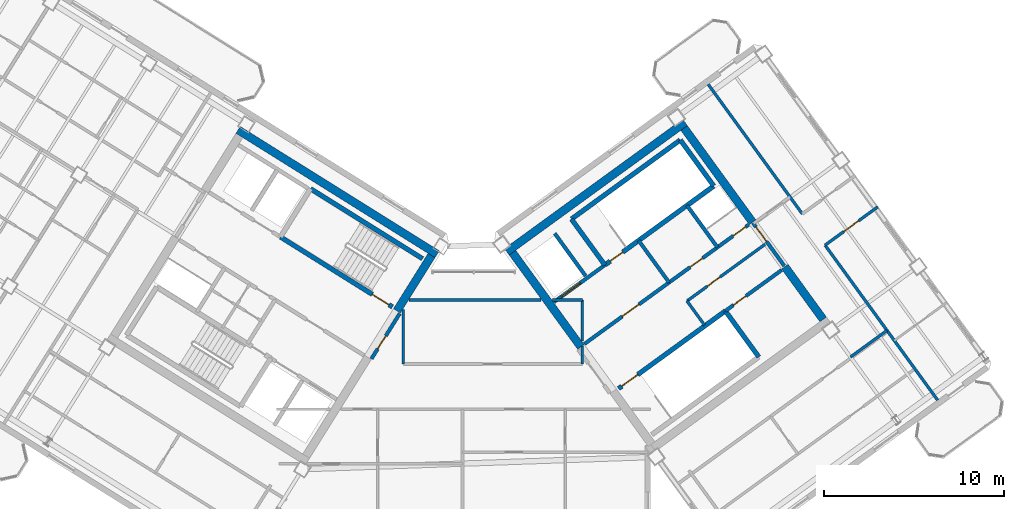
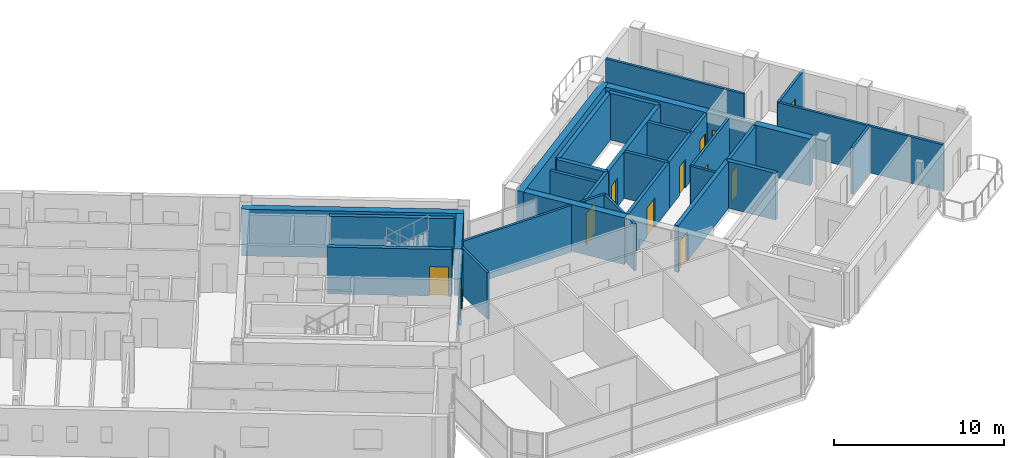
# One storey, part 20 of 25: 34 walls, 12 doors, 12 openings.
"""IFC4 building model written with IfcOpenShell, lengths in metres."""

from ifc_helpers import new_model, si_unit, direction, frame, frame_2d, origin, place, context, subcontext, project, spatial, rectangle, extrude, source, transform, mapped, material, layer, layer_set, type_object, element, fill, save


model = new_model("IFC4")

# Units and contexts
model_context = context("Model", 3, precision=1e-05, world=origin(), true_north=direction((0.0, 1.0)))
body_context = subcontext(model_context, "Body", "Model", "MODEL_VIEW")
ifc_project = project(units=[si_unit("LENGTHUNIT", "METRE"), si_unit("AREAUNIT", "SQUARE_METRE"), si_unit("VOLUMEUNIT", "CUBIC_METRE"), si_unit("PLANEANGLEUNIT", "RADIAN"), si_unit("MASSUNIT", "GRAM", prefix="KILO")], contexts=[model_context])

# Site, building, storey
site_placement = place(None, origin())
site = spatial("IfcSite", under=ifc_project, at=site_placement, CompositionType="ELEMENT")
building_placement = place(site_placement, origin())
building = spatial("IfcBuilding", under=site, at=building_placement, Name="Tlacorven Tower", CompositionType="ELEMENT")
storey_placement = place(building_placement, frame((0.0, 0.0, 259.199951171875)))
storey = spatial("IfcBuildingStorey", under=building, at=storey_placement, Name="L65", CompositionType="ELEMENT", Elevation=259.199951171875)

# Walls
ifc_material_1 = material(Name="Concrete C50/60", Category="concrete")
ifc_layer_1 = layer(ifc_material_1, 0.449951171875)
ifc_layer_set_1 = layer_set([ifc_layer_1], Name="Concrete C50/60")
wall_type_1 = type_object("IfcWallType", Name="WL-COR-450", PredefinedType="SHEAR", material=ifc_layer_set_1)
wall_1_placement = place(storey_placement, frame((40.53076171875, 24.036376953125, 0.0), z_axis=(0.0, 0.0, 1.0), x_axis=(-0.848048787466, 0.529918157905, 0.0)))
element("IfcWall", 1, at=wall_1_placement, inside=storey, type_object=wall_type_1, Name="L65 W core shear wall S1", PredefinedType="SHEAR", context=body_context, shape_type="SweptSolid", body=[
    extrude(rectangle(XDim=13.0400390625, YDim=0.449951171875, at=frame_2d((6.52001953125, 0.0))), origin(), (0.0, 0.0, 1.0), 3.35009765625),
])
wall_2_placement = place(storey_placement, frame((40.220703125, 23.96484375, 0.0), z_axis=(0.0, 0.0, 1.0), x_axis=(-0.529902075036, -0.848058836916, 0.0)))
element("IfcWall", 2, at=wall_2_placement, inside=storey, type_object=wall_type_1, Name="L65 W core end wall E1.1", PredefinedType="SHEAR", context=body_context, shape_type="SweptSolid", body=[
    extrude(rectangle(XDim=3.625, YDim=0.449951171875, at=frame_2d((1.8125, 0.0))), origin(), (0.0, 0.0, 1.0), 3.35009765625),
])
wall_3_placement = place(storey_placement, frame((44.405517578125, 24.171630859375, 0.0), z_axis=(0.0, 0.0, 1.0), x_axis=(0.809012867805, 0.587790931986, 0.0)))
element("IfcWall", 3, at=wall_3_placement, inside=storey, type_object=wall_type_1, Name="L65 E core shear wall S2", PredefinedType="SHEAR", context=body_context, shape_type="SweptSolid", body=[
    extrude(rectangle(XDim=12.239990234375, YDim=0.449951171875, at=frame_2d((6.1201171875, 0.0))), origin(), (0.0, 0.0, 1.0), 3.35009765625),
])
wall_4_placement = place(storey_placement, frame((48.525634765625, 18.883544921875, 0.0), z_axis=(0.0, 0.0, 1.0), x_axis=(-0.587774812919, 0.809024578921, 0.0)))
element("IfcWall", 4, at=wall_4_placement, inside=storey, type_object=wall_type_1, Name="L65 E core end wall E1.2", PredefinedType="SHEAR", context=body_context, shape_type="SweptSolid", body=[
    extrude(rectangle(XDim=6.47509765625, YDim=0.449951171875, at=frame_2d((3.237548828125, 0.0))), origin(), (0.0, 0.0, 1.0), 3.35009765625),
])
wall_5_placement = place(storey_placement, frame((61.987548828125, 20.413330078125, 0.0), z_axis=(0.0, 0.0, 1.0), x_axis=(-0.587819244441, 0.808992296542, 0.0)))
element("IfcWall", 5, at=wall_5_placement, inside=storey, type_object=wall_type_1, Name="L65 E core end wall E2.1", PredefinedType="SHEAR", context=body_context, shape_type="SweptSolid", body=[
    extrude(rectangle(XDim=3.625, YDim=0.449951171875, at=frame_2d((1.8125, 0.0))), origin(), (0.0, 0.0, 1.0), 3.35009765625),
])
wall_6_placement = place(storey_placement, frame((58.06396484375, 25.8134765625, 0.0), z_axis=(0.0, 0.0, 1.0), x_axis=(-0.587774812919, 0.809024578921, 0.0)))
element("IfcWall", 6, at=wall_6_placement, inside=storey, type_object=wall_type_1, Name="L65 E core end wall E2.2", PredefinedType="SHEAR", context=body_context, shape_type="SweptSolid", body=[
    extrude(rectangle(XDim=6.47509765625, YDim=0.449951171875, at=frame_2d((3.237548828125, 0.0))), origin(), (0.0, 0.0, 1.0), 3.35009765625),
])

# Wall, opening, door
ifc_material_2 = material(Name="Gypsum plasterboard acoustic partition", Category="gypsum")
ifc_layer_2 = layer(ifc_material_2, 0.159912109375)
ifc_layer_set_2 = layer_set([ifc_layer_2], Name="Gypsum plasterboard acoustic partition")
wall_type_2 = type_object("IfcWallType", Name="WL-DEM-160", PredefinedType="PARTITIONING", material=ifc_layer_set_2)
wall_7_placement = place(storey_placement, frame((54.421142578125, 21.436279296875, 0.0), z_axis=(0.0, 0.0, 1.0), x_axis=(0.809013710463, 0.587789772183, 0.0)))
wall_7 = element("IfcWall", 7, at=wall_7_placement, inside=storey, type_object=wall_type_2, Name="L65 partition 31", PredefinedType="PARTITIONING", context=body_context, shape_type="SweptSolid", body=[
    extrude(rectangle(XDim=5.360107421875, YDim=0.159912109375, at=frame_2d((2.68017578125, 0.0))), origin(), (0.0, 0.0, 1.0), 3.340087890625),
])
opening_1_placement = place(wall_7_placement, frame((1.39990234375, 0.0, 0.0)))
opening_1 = element("IfcOpeningElement", 8, at=opening_1_placement, cuts=wall_7, Name="Opening D19", PredefinedType="OPENING", context=body_context, shape_type="SweptSolid", body=[
    extrude(rectangle(XDim=0.860107421875, YDim=2.050048828125, at=frame_2d((0.43017578125, 1.02490234375))), frame((0.0, 0.08984375, 0.0), z_axis=(0.0, -1.0, 0.0), x_axis=(1.0, 0.0, 0.0)), (0.0, 0.0, 1.0), 0.179931640625),
])
ifc_material_3 = material(Name="Fire-rated steel door assembly", Category="steel")
door_type_1 = type_object("IfcDoorType", Name="DR-RSR-FD60-0860", OperationType="NOTDEFINED", PredefinedType="DOOR", material=ifc_material_3)
shared_shape_1 = source(origin(), body_context, "Body", "SweptSolid", [
    extrude(rectangle(XDim=0.860107421875, YDim=2.050048828125, at=frame_2d((0.43017578125, 1.02490234375))), frame((0.0, 0.02490234375, 0.0), z_axis=(0.0, -1.0, 0.0), x_axis=(1.0, 0.0, 0.0)), (0.0, 0.0, 1.0), 0.050048828125),
])
door_1_placement = place(opening_1_placement, origin())
door_1 = element("IfcDoor", 9, at=door_1_placement, inside=storey, type_object=door_type_1, Name="L65 Freed Core Store Door", OperationType="SINGLE_SWING_RIGHT", OverallHeight=2.050048828125, OverallWidth=0.860107421875, PredefinedType="DOOR", context=body_context, shape_type="MappedRepresentation", body=[
    mapped(shared_shape_1, transform((0.0, 0.0, 0.0), scale=1.0)),
])
fill(opening_1, door_1)

# Walls
wall_8_placement = place(storey_placement, frame((55.390869140625, 20.1015625, 0.0), z_axis=(0.0, 0.0, 1.0), x_axis=(-0.58778447739, 0.809017557374, 0.0)))
element("IfcWall", 10, at=wall_8_placement, inside=storey, type_object=wall_type_2, Name="L65 partition 32", PredefinedType="PARTITIONING", context=body_context, shape_type="SweptSolid", body=[
    extrude(rectangle(XDim=1.64990234375, YDim=0.159912109375, at=frame_2d((0.824951171875, 0.0))), origin(), (0.0, 0.0, 1.0), 3.340087890625),
])
wall_9_placement = place(storey_placement, frame((38.64990234375, 17.929931640625, 0.0), z_axis=(0.0, 0.0, 1.0), x_axis=(0.0, 1.0, 0.0)))
element("IfcWall", 11, at=wall_9_placement, inside=storey, type_object=wall_type_2, Name="L65 partition 71", PredefinedType="PARTITIONING", context=body_context, shape_type="SweptSolid", body=[
    extrude(rectangle(XDim=3.045654296875, YDim=0.159912109375, at=frame_2d((1.52294921875, 0.0))), origin(), (0.0, 0.0, 1.0), 3.340087890625),
])
wall_10_placement = place(storey_placement, frame((48.60009765625, 17.929931640625, 0.0), z_axis=(0.0, 0.0, 1.0), x_axis=(0.0, 1.0, 0.0)))
element("IfcWall", 12, at=wall_10_placement, inside=storey, type_object=wall_type_2, Name="L65 partition 72", PredefinedType="PARTITIONING", context=body_context, shape_type="SweptSolid", body=[
    extrude(rectangle(XDim=0.99267578125, YDim=0.159912109375, at=frame_2d((0.496337890625, 0.0))), origin(), (0.0, 0.0, 1.0), 3.340087890625),
])
wall_11_placement = place(storey_placement, frame((48.60009765625, 19.2099609375, 0.0), z_axis=(0.0, 0.0, 1.0), x_axis=(0.0, 1.0, 0.0)))
element("IfcWall", 13, at=wall_11_placement, inside=storey, type_object=wall_type_2, Name="L65 partition 72", PredefinedType="PARTITIONING", context=body_context, shape_type="SweptSolid", body=[
    extrude(rectangle(XDim=2.2900390625, YDim=0.159912109375, at=frame_2d((1.14501953125, 0.0))), origin(), (0.0, 0.0, 1.0), 3.340087890625),
])
wall_12_placement = place(storey_placement, frame((38.9775390625, 21.5, 0.0), z_axis=(0.0, 0.0, 1.0), x_axis=(1.0, 0.0, 0.0)))
element("IfcWall", 14, at=wall_12_placement, inside=storey, type_object=wall_type_2, Name="L65 partition 73", PredefinedType="PARTITIONING", context=body_context, shape_type="SweptSolid", body=[
    extrude(rectangle(XDim=7.335693359375, YDim=0.159912109375, at=frame_2d((3.66796875, 0.0))), origin(), (0.0, 0.0, 1.0), 3.340087890625),
])
wall_13_placement = place(storey_placement, frame((46.936279296875, 21.5, 0.0), z_axis=(0.0, 0.0, 1.0), x_axis=(1.0, 0.0, 0.0)))
element("IfcWall", 15, at=wall_13_placement, inside=storey, type_object=wall_type_2, Name="L65 partition 73", PredefinedType="PARTITIONING", context=body_context, shape_type="SweptSolid", body=[
    extrude(rectangle(XDim=1.663818359375, YDim=0.159912109375, at=frame_2d((0.83203125, 0.0))), origin(), (0.0, 0.0, 1.0), 3.340087890625),
])
wall_14_placement = place(storey_placement, frame((63.5068359375, 18.322021484375, 0.0), z_axis=(0.0, 0.0, 1.0), x_axis=(0.809034604122, 0.587761013791, 0.0)))
element("IfcWall", 16, at=wall_14_placement, inside=storey, type_object=wall_type_2, Name="L65 partition 85", PredefinedType="PARTITIONING", context=body_context, shape_type="SweptSolid", body=[
    extrude(rectangle(XDim=2.510009765625, YDim=0.159912109375, at=frame_2d((1.2548828125, 0.0))), origin(), (0.0, 0.0, 1.0), 3.340087890625),
])
wall_15_placement = place(storey_placement, frame((68.35302734375, 15.922119140625, 0.0), z_axis=(0.0, 0.0, 1.0), x_axis=(-0.587783168305, 0.809018508476, 0.0)))
element("IfcWall", 17, at=wall_15_placement, inside=storey, type_object=wall_type_2, Name="L65 partition 87", PredefinedType="PARTITIONING", context=body_context, shape_type="SweptSolid", body=[
    extrude(rectangle(XDim=10.650146484375, YDim=0.159912109375, at=frame_2d((5.3251953125, 0.0))), origin(), (0.0, 0.0, 1.0), 3.340087890625),
])
wall_16_placement = place(storey_placement, frame((60.829345703125, 26.277587890625, 0.0), z_axis=(0.0, 0.0, 1.0), x_axis=(-0.587781800813, 0.80901950201, 0.0)))
element("IfcWall", 18, at=wall_16_placement, inside=storey, type_object=wall_type_2, Name="L65 partition 88", PredefinedType="PARTITIONING", context=body_context, shape_type="SweptSolid", body=[
    extrude(rectangle(XDim=8.89990234375, YDim=0.159912109375, at=frame_2d((4.449951171875, 0.0))), origin(), (0.0, 0.0, 1.0), 3.340087890625),
])

# Wall, opening, door
wall_17_placement = place(storey_placement, frame((62.093017578125, 24.538330078125, 0.0), z_axis=(0.0, 0.0, 1.0), x_axis=(0.809035546126, 0.58775971715, 0.0)))
wall_17 = element("IfcWall", 19, at=wall_17_placement, inside=storey, type_object=wall_type_2, Name="L65 partition 90", PredefinedType="PARTITIONING", context=body_context, shape_type="SweptSolid", body=[
    extrude(rectangle(XDim=3.6298828125, YDim=0.159912109375, at=frame_2d((1.81494140625, 0.0))), origin(), (0.0, 0.0, 1.0), 3.340087890625),
])
opening_2_placement = place(wall_17_placement, frame((1.304931640625, 0.0, 0.0)))
opening_2 = element("IfcOpeningElement", 20, at=opening_2_placement, cuts=wall_17, Name="Opening D11", PredefinedType="OPENING", context=body_context, shape_type="SweptSolid", body=[
    extrude(rectangle(XDim=1.0, YDim=2.10009765625, at=frame_2d((0.5, 1.050048828125))), frame((0.0, 0.08984375, 0.0), z_axis=(0.0, -1.0, 0.0), x_axis=(1.0, 0.0, 0.0)), (0.0, 0.0, 1.0), 0.179931640625),
])
door_type_2 = type_object("IfcDoorType", Name="DR-FLT-FD60-1000", OperationType="NOTDEFINED", PredefinedType="DOOR", material=ifc_material_3)
shared_shape_2 = source(origin(), body_context, "Body", "SweptSolid", [
    extrude(rectangle(XDim=1.0, YDim=2.10009765625, at=frame_2d((0.5, 1.050048828125))), frame((0.0, 0.02490234375, 0.0), z_axis=(0.0, -1.0, 0.0), x_axis=(1.0, 0.0, 0.0)), (0.0, 0.0, 1.0), 0.050048828125),
])
door_2_placement = place(opening_2_placement, origin())
door_2 = element("IfcDoor", 21, at=door_2_placement, inside=storey, type_object=door_type_2, Name="L65 door 063", OperationType="SINGLE_SWING_LEFT", OverallHeight=2.10009765625, OverallWidth=1.0, PredefinedType="DOOR", context=body_context, shape_type="MappedRepresentation", body=[
    mapped(shared_shape_2, transform((0.0, 0.0, 0.0), scale=1.0)),
])
fill(opening_2, door_2)

ifc_material_4 = material(Name="Concrete C40/50", Category="concrete")
ifc_layer_3 = layer(ifc_material_4, 0.199951171875)
ifc_layer_set_3 = layer_set([ifc_layer_3], Name="Concrete C40/50")
wall_type_3 = type_object("IfcWallType", Name="WL-SHF-200", PredefinedType="STANDARD", material=ifc_layer_set_3)
wall_18_placement = place(storey_placement, frame((47.02490234375, 21.3779296875, 0.0), z_axis=(0.0, 0.0, 1.0), x_axis=(0.809052869724, 0.587735870941, 0.0)))
wall_18 = element("IfcWall", 22, at=wall_18_placement, inside=storey, type_object=wall_type_3, Name="L65 Core E Firefighting Lift Shaft Front Wall", PredefinedType="STANDARD", context=body_context, shape_type="SweptSolid", body=[
    extrude(rectangle(XDim=3.498046875, YDim=0.199951171875, at=frame_2d((1.7490234375, 0.0))), origin(), (0.0, 0.0, 1.0), 3.340087890625),
])
opening_3_placement = place(wall_18_placement, frame((0.508056640625, 0.0, 0.0)))
opening_3 = element("IfcOpeningElement", 23, at=opening_3_placement, cuts=wall_18, Name="Opening LD03", PredefinedType="OPENING", context=body_context, shape_type="SweptSolid", body=[
    extrude(rectangle(XDim=1.300048828125, YDim=2.199951171875, at=frame_2d((0.64990234375, 1.10009765625))), frame((0.0, 0.10986328125, 0.0), z_axis=(0.0, -1.0, 0.0), x_axis=(1.0, 0.0, 0.0)), (0.0, 0.0, 1.0), 0.219970703125),
])
door_type_3 = type_object("IfcDoorType", Name="DR-LFT-SLID-1300", OperationType="DOUBLE_DOOR_SLIDING", PredefinedType="DOOR", material=ifc_material_3)
shared_shape_3 = source(origin(), body_context, "Body", "SweptSolid", [
    extrude(rectangle(XDim=1.300048828125, YDim=2.199951171875, at=frame_2d((0.64990234375, 1.10009765625))), frame((0.0, 0.02490234375, 0.0), z_axis=(0.0, -1.0, 0.0), x_axis=(1.0, 0.0, 0.0)), (0.0, 0.0, 1.0), 0.050048828125),
])
door_3_placement = place(opening_3_placement, origin())
door_3 = element("IfcDoor", 24, at=door_3_placement, inside=storey, type_object=door_type_3, Name="L65 Lift FFL-E1 Sliding Landing Door", OperationType="DOUBLE_DOOR_SLIDING", OverallHeight=2.199951171875, OverallWidth=1.300048828125, PredefinedType="DOOR", context=body_context, shape_type="MappedRepresentation", body=[
    mapped(shared_shape_3, transform((0.0, 0.0, 0.0), scale=1.0)),
])
fill(opening_3, door_3)

wall_19_placement = place(storey_placement, frame((48.7177734375, 19.0478515625, 0.0), z_axis=(0.0, 0.0, 1.0), x_axis=(0.809017261719, 0.587784884325, 0.0)))
wall_19 = element("IfcWall", 25, at=wall_19_placement, inside=storey, type_object=wall_type_3, Name="L65 Core E Smoke Lobby Wall", PredefinedType="STANDARD", context=body_context, shape_type="SweptSolid", body=[
    extrude(rectangle(XDim=5.81787109375, YDim=0.199951171875, at=frame_2d((2.908935546875, 0.0))), origin(), (0.0, 0.0, 1.0), 3.340087890625),
])
opening_4_placement = place(wall_19_placement, frame((2.597900390625, 0.0, 0.0)))
opening_4 = element("IfcOpeningElement", 26, at=opening_4_placement, cuts=wall_19, Name="Opening D09", PredefinedType="OPENING", context=body_context, shape_type="SweptSolid", body=[
    extrude(rectangle(XDim=1.14990234375, YDim=2.10009765625, at=frame_2d((0.574951171875, 1.050048828125))), frame((0.0, 0.10986328125, 0.0), z_axis=(0.0, -1.0, 0.0), x_axis=(1.0, 0.0, 0.0)), (0.0, 0.0, 1.0), 0.219970703125),
])
door_type_4 = type_object("IfcDoorType", Name="DR-FFL-FD60-1150", OperationType="NOTDEFINED", PredefinedType="DOOR", material=ifc_material_3)
shared_shape_4 = source(origin(), body_context, "Body", "SweptSolid", [
    extrude(rectangle(XDim=1.14990234375, YDim=2.10009765625, at=frame_2d((0.574951171875, 1.050048828125))), frame((0.0, 0.02490234375, 0.0), z_axis=(0.0, -1.0, 0.0), x_axis=(1.0, 0.0, 0.0)), (0.0, 0.0, 1.0), 0.050048828125),
])
door_4_placement = place(opening_4_placement, origin())
door_4 = element("IfcDoor", 27, at=door_4_placement, inside=storey, type_object=door_type_4, Name="L65 Firefighting Lobby E Fire Door", OperationType="SINGLE_SWING_RIGHT", OverallHeight=2.10009765625, OverallWidth=1.14990234375, PredefinedType="DOOR", context=body_context, shape_type="MappedRepresentation", body=[
    mapped(shared_shape_4, transform((0.0, 0.0, 0.0), scale=1.0)),
])
fill(opening_4, door_4)

wall_20_placement = place(storey_placement, frame((56.552978515625, 20.884033203125, 0.0), z_axis=(0.0, 0.0, 1.0), x_axis=(0.809041669066, 0.587751288995, 0.0)))
wall_20 = element("IfcWall", 28, at=wall_20_placement, inside=storey, type_object=wall_type_3, Name="L65 Core E South Lift Shaft Wall", PredefinedType="STANDARD", context=body_context, shape_type="SweptSolid", body=[
    extrude(rectangle(XDim=3.867919921875, YDim=0.199951171875, at=frame_2d((1.93408203125, 0.0))), origin(), (0.0, 0.0, 1.0), 3.340087890625),
])
opening_5_placement = place(wall_20_placement, frame((0.550048828125, 0.0, 0.0)))
opening_5 = element("IfcOpeningElement", 29, at=opening_5_placement, cuts=wall_20, Name="Opening D19", PredefinedType="OPENING", context=body_context, shape_type="SweptSolid", body=[
    extrude(rectangle(XDim=0.860107421875, YDim=2.050048828125, at=frame_2d((0.43017578125, 1.02490234375))), frame((0.0, 0.10986328125, 0.0), z_axis=(0.0, -1.0, 0.0), x_axis=(1.0, 0.0, 0.0)), (0.0, 0.0, 1.0), 0.219970703125),
])
door_5_placement = place(opening_5_placement, origin())
door_5 = element("IfcDoor", 30, at=door_5_placement, inside=storey, type_object=door_type_1, Name="L65 East Telecoms Riser Access Door", OperationType="SINGLE_SWING_LEFT", OverallHeight=2.050048828125, OverallWidth=0.860107421875, PredefinedType="DOOR", context=body_context, shape_type="MappedRepresentation", body=[
    mapped(shared_shape_1, transform((0.0, 0.0, 0.0), scale=1.0)),
])
fill(opening_5, door_5)

# Walls
wall_21_placement = place(storey_placement, frame((48.78564453125, 22.830078125, 0.0), z_axis=(0.0, 0.0, 1.0), x_axis=(-0.587783856777, 0.809018008275, 0.0)))
element("IfcWall", 31, at=wall_21_placement, inside=storey, type_object=wall_type_3, Name="L65 partition 33", PredefinedType="STANDARD", context=body_context, shape_type="SweptSolid", body=[
    extrude(rectangle(XDim=2.919921875, YDim=0.199951171875, at=frame_2d((1.4599609375, 0.0))), origin(), (0.0, 0.0, 1.0), 3.340087890625),
])
wall_22_placement = place(storey_placement, frame((53.424560546875, 22.467529296875, 0.0), z_axis=(0.0, 0.0, 1.0), x_axis=(-0.5877230039, 0.809062216821, 0.0)))
element("IfcWall", 32, at=wall_22_placement, inside=storey, type_object=wall_type_3, Name="L65 partition 34", PredefinedType="STANDARD", context=body_context, shape_type="SweptSolid", body=[
    extrude(rectangle(XDim=2.8798828125, YDim=0.199951171875, at=frame_2d((1.43994140625, 0.0))), origin(), (0.0, 0.0, 1.0), 3.340087890625),
])
wall_23_placement = place(storey_placement, frame((56.110595703125, 24.4189453125, 0.0), z_axis=(0.0, 0.0, 1.0), x_axis=(-0.58777848983, 0.809021907548, 0.0)))
element("IfcWall", 33, at=wall_23_placement, inside=storey, type_object=wall_type_3, Name="L65 partition 35", PredefinedType="STANDARD", context=body_context, shape_type="SweptSolid", body=[
    extrude(rectangle(XDim=2.880126953125, YDim=0.199951171875, at=frame_2d((1.43994140625, 0.0))), origin(), (0.0, 0.0, 1.0), 3.340087890625),
])

# Wall, openings, doors
wall_24_placement = place(storey_placement, frame((53.424560546875, 22.467529296875, 0.0), z_axis=(0.0, 0.0, 1.0), x_axis=(0.809015945709, 0.587786695655, 0.0)))
wall_24 = element("IfcWall", 34, at=wall_24_placement, inside=storey, type_object=wall_type_3, Name="L65 Core E North Service Wall", PredefinedType="STANDARD", context=body_context, shape_type="SweptSolid", body=[
    extrude(rectangle(XDim=5.46826171875, YDim=0.199951171875, at=frame_2d((2.734130859375, 0.0))), origin(), (0.0, 0.0, 1.0), 3.340087890625),
])
opening_6_placement = place(wall_24_placement, frame((4.39990234375, 0.0, 0.0)))
opening_6 = element("IfcOpeningElement", 35, at=opening_6_placement, cuts=wall_24, Name="Opening D19", PredefinedType="OPENING", context=body_context, shape_type="SweptSolid", body=[
    extrude(rectangle(XDim=0.860107421875, YDim=2.050048828125, at=frame_2d((0.43017578125, 1.02490234375))), frame((0.0, 0.10986328125, 0.0), z_axis=(0.0, -1.0, 0.0), x_axis=(1.0, 0.0, 0.0)), (0.0, 0.0, 1.0), 0.219970703125),
])
opening_7_placement = place(wall_24_placement, frame((1.449951171875, 0.0, 0.0)))
opening_7 = element("IfcOpeningElement", 36, at=opening_7_placement, cuts=wall_24, Name="Opening D19", PredefinedType="OPENING", context=body_context, shape_type="SweptSolid", body=[
    extrude(rectangle(XDim=0.860107421875, YDim=2.050048828125, at=frame_2d((0.43017578125, 1.02490234375))), frame((0.0, 0.10986328125, 0.0), z_axis=(0.0, -1.0, 0.0), x_axis=(1.0, 0.0, 0.0)), (0.0, 0.0, 1.0), 0.219970703125),
])
door_6_placement = place(opening_6_placement, frame((0.860107421875, 0.0, 0.0), z_axis=(0.0, 0.0, 1.0), x_axis=(-1.0, 0.0, 0.0)))
door_6 = element("IfcDoor", 37, at=door_6_placement, inside=storey, type_object=door_type_1, Name="L65 Electrical Riser Access Door E", OperationType="SINGLE_SWING_RIGHT", OverallHeight=2.050048828125, OverallWidth=0.860107421875, PredefinedType="DOOR", context=body_context, shape_type="MappedRepresentation", body=[
    mapped(shared_shape_1, transform((0.0, 0.0, 0.0), scale=1.0)),
])
fill(opening_6, door_6)
door_7_placement = place(opening_7_placement, frame((0.860107421875, 0.0, 0.0), z_axis=(0.0, 0.0, 1.0), x_axis=(-1.0, 0.0, 0.0)))
door_7 = element("IfcDoor", 38, at=door_7_placement, inside=storey, type_object=door_type_1, Name="L65 Housekeeping Linen Access Door E", OperationType="SINGLE_SWING_LEFT", OverallHeight=2.050048828125, OverallWidth=0.860107421875, PredefinedType="DOOR", context=body_context, shape_type="MappedRepresentation", body=[
    mapped(shared_shape_1, transform((0.0, 0.0, 0.0), scale=1.0)),
])
fill(opening_7, door_7)

# Wall, opening, door
wall_25_placement = place(storey_placement, frame((38.451416015625, 20.737060546875, 0.0), z_axis=(0.0, 0.0, 1.0), x_axis=(-0.529924799939, -0.848044637038, 0.0)))
wall_25 = element("IfcWall", 39, at=wall_25_placement, inside=storey, type_object=wall_type_3, Name="L65 partition 68", PredefinedType="STANDARD", context=body_context, shape_type="SweptSolid", body=[
    extrude(rectangle(XDim=2.9599609375, YDim=0.199951171875, at=frame_2d((1.47998046875, 0.0))), origin(), (0.0, 0.0, 1.0), 3.340087890625),
])
opening_8_placement = place(wall_25_placement, frame((1.4599609375, 0.0, 0.0)))
opening_8 = element("IfcOpeningElement", 40, at=opening_8_placement, cuts=wall_25, Name="Opening D19", PredefinedType="OPENING", context=body_context, shape_type="SweptSolid", body=[
    extrude(rectangle(XDim=0.860107421875, YDim=2.050048828125, at=frame_2d((0.43017578125, 1.02490234375))), frame((0.0, 0.10986328125, 0.0), z_axis=(0.0, -1.0, 0.0), x_axis=(1.0, 0.0, 0.0)), (0.0, 0.0, 1.0), 0.219970703125),
])
door_8_placement = place(opening_8_placement, frame((0.860107421875, 0.0, 0.0), z_axis=(0.0, 0.0, 1.0), x_axis=(-1.0, 0.0, 0.0)))
door_8 = element("IfcDoor", 41, at=door_8_placement, inside=storey, type_object=door_type_1, Name="L65 door 048", OperationType="SINGLE_SWING_LEFT", OverallHeight=2.050048828125, OverallWidth=0.860107421875, PredefinedType="DOOR", context=body_context, shape_type="MappedRepresentation", body=[
    mapped(shared_shape_1, transform((0.0, 0.0, 0.0), scale=1.0)),
])
fill(opening_8, door_8)

wall_26_placement = place(storey_placement, frame((59.827392578125, 23.386474609375, 0.0), z_axis=(0.0, 0.0, 1.0), x_axis=(-0.587803840107, 0.809003489211, 0.0)))
wall_26 = element("IfcWall", 42, at=wall_26_placement, inside=storey, type_object=wall_type_3, Name="L65 partition 84", PredefinedType="STANDARD", context=body_context, shape_type="SweptSolid", body=[
    extrude(rectangle(XDim=2.960205078125, YDim=0.199951171875, at=frame_2d((1.47998046875, 0.0))), origin(), (0.0, 0.0, 1.0), 3.340087890625),
])
opening_9_placement = place(wall_26_placement, frame((1.679931640625, 0.0, 0.0)))
opening_9 = element("IfcOpeningElement", 43, at=opening_9_placement, cuts=wall_26, Name="Opening D11", PredefinedType="OPENING", context=body_context, shape_type="SweptSolid", body=[
    extrude(rectangle(XDim=1.0, YDim=2.10009765625, at=frame_2d((0.5, 1.050048828125))), frame((0.0, 0.10986328125, 0.0), z_axis=(0.0, -1.0, 0.0), x_axis=(1.0, 0.0, 0.0)), (0.0, 0.0, 1.0), 0.219970703125),
])
door_9_placement = place(opening_9_placement, origin())
door_9 = element("IfcDoor", 44, at=door_9_placement, inside=storey, type_object=door_type_2, Name="L65 door 061", OperationType="SINGLE_SWING_LEFT", OverallHeight=2.10009765625, OverallWidth=1.0, PredefinedType="DOOR", context=body_context, shape_type="MappedRepresentation", body=[
    mapped(shared_shape_2, transform((0.0, 0.0, 0.0), scale=1.0)),
])
fill(opening_9, door_9)

# Wall
ifc_layer_4 = layer(ifc_material_1, 0.260009765625)
ifc_layer_set_4 = layer_set([ifc_layer_4], Name="Concrete C50/60")
wall_type_4 = type_object("IfcWallType", Name="WL-STW-260", PredefinedType="SHEAR", material=ifc_layer_set_4)
wall_27_placement = place(storey_placement, frame((39.720947265625, 23.787841796875, 0.0), z_axis=(0.0, 0.0, 1.0), x_axis=(-0.848054434086, 0.529909121291, 0.0)))
element("IfcWall", 45, at=wall_27_placement, inside=storey, type_object=wall_type_4, Name="L65 Stair W2 Far Shear Wall", PredefinedType="SHEAR", context=body_context, shape_type="SweptSolid", body=[
    extrude(rectangle(XDim=7.330078125, YDim=0.260009765625, at=frame_2d((3.6650390625, 0.0))), origin(), (0.0, 0.0, 1.0), 3.35009765625),
])

# Wall, opening, door
wall_28_placement = place(storey_placement, frame((38.04638671875, 21.10791015625, 0.0), z_axis=(0.0, 0.0, 1.0), x_axis=(-0.848054434086, 0.529909121291, 0.0)))
wall_28 = element("IfcWall", 46, at=wall_28_placement, inside=storey, type_object=wall_type_4, Name="L65 Stair W2 Lobby Shear Wall", PredefinedType="SHEAR", context=body_context, shape_type="SweptSolid", body=[
    extrude(rectangle(XDim=7.330078125, YDim=0.260009765625, at=frame_2d((3.6650390625, 0.0))), origin(), (0.0, 0.0, 1.0), 3.35009765625),
])
opening_10_placement = place(wall_28_placement, frame((0.219970703125, 0.0, 0.0)))
opening_10 = element("IfcOpeningElement", 47, at=opening_10_placement, cuts=wall_28, Name="Opening D07", PredefinedType="OPENING", context=body_context, shape_type="SweptSolid", body=[
    extrude(rectangle(XDim=1.10009765625, YDim=2.10009765625, at=frame_2d((0.550048828125, 1.050048828125))), frame((0.0, 0.14013671875, 0.0), z_axis=(0.0, -1.0, 0.0), x_axis=(1.0, 0.0, 0.0)), (0.0, 0.0, 1.0), 0.280029296875),
])
door_type_5 = type_object("IfcDoorType", Name="DR-STR-FD90-1100", OperationType="NOTDEFINED", PredefinedType="DOOR", material=ifc_material_3)
shared_shape_5 = source(origin(), body_context, "Body", "SweptSolid", [
    extrude(rectangle(XDim=1.10009765625, YDim=2.10009765625, at=frame_2d((0.550048828125, 1.050048828125))), frame((0.0, 0.02490234375, 0.0), z_axis=(0.0, -1.0, 0.0), x_axis=(1.0, 0.0, 0.0)), (0.0, 0.0, 1.0), 0.050048828125),
])
door_10_placement = place(opening_10_placement, origin())
door_10 = element("IfcDoor", 48, at=door_10_placement, inside=storey, type_object=door_type_5, Name="L65 Exit Stair W2 Fire Door", OperationType="SINGLE_SWING_RIGHT", OverallHeight=2.10009765625, OverallWidth=1.10009765625, PredefinedType="DOOR", context=body_context, shape_type="MappedRepresentation", body=[
    mapped(shared_shape_5, transform((0.0, 0.0, 0.0), scale=1.0)),
])
fill(opening_10, door_10)

# Wall
wall_29_placement = place(storey_placement, frame((48.005615234375, 25.996337890625, 0.0), z_axis=(0.0, 0.0, 1.0), x_axis=(0.80901903764, 0.587782439969, 0.0)))
element("IfcWall", 49, at=wall_29_placement, inside=storey, type_object=wall_type_4, Name="L65 Stair E1 Far Shear Wall", PredefinedType="SHEAR", context=body_context, shape_type="SweptSolid", body=[
    extrude(rectangle(XDim=7.4599609375, YDim=0.260009765625, at=frame_2d((3.72998046875, 0.0))), origin(), (0.0, 0.0, 1.0), 3.35009765625),
])

# Wall, opening, door
wall_30_placement = place(storey_placement, frame((49.863037109375, 23.439697265625, 0.0), z_axis=(0.0, 0.0, 1.0), x_axis=(0.809003474932, 0.587803859759, 0.0)))
wall_30 = element("IfcWall", 50, at=wall_30_placement, inside=storey, type_object=wall_type_4, Name="L65 Stair E1 Lobby Shear Wall", PredefinedType="SHEAR", context=body_context, shape_type="SweptSolid", body=[
    extrude(rectangle(XDim=7.4599609375, YDim=0.260009765625, at=frame_2d((3.72998046875, 0.0))), origin(), (0.0, 0.0, 1.0), 3.35009765625),
])
opening_11_placement = place(wall_30_placement, frame((0.360107421875, 0.0, 0.0)))
opening_11 = element("IfcOpeningElement", 51, at=opening_11_placement, cuts=wall_30, Name="Opening D19", PredefinedType="OPENING", context=body_context, shape_type="SweptSolid", body=[
    extrude(rectangle(XDim=0.860107421875, YDim=2.050048828125, at=frame_2d((0.43017578125, 1.02490234375))), frame((0.0, 0.14013671875, 0.0), z_axis=(0.0, -1.0, 0.0), x_axis=(1.0, 0.0, 0.0)), (0.0, 0.0, 1.0), 0.280029296875),
])
door_11_placement = place(opening_11_placement, frame((0.860107421875, 0.0, 0.0), z_axis=(0.0, 0.0, 1.0), x_axis=(-1.0, 0.0, 0.0)))
door_11 = element("IfcDoor", 52, at=door_11_placement, inside=storey, type_object=door_type_1, Name="L65 Exit Stair E1 Fire Door", OperationType="SINGLE_SWING_LEFT", OverallHeight=2.050048828125, OverallWidth=0.860107421875, PredefinedType="DOOR", context=body_context, shape_type="MappedRepresentation", body=[
    mapped(shared_shape_1, transform((0.0, 0.0, 0.0), scale=1.0)),
])
fill(opening_11, door_11)

# Walls
wall_31_placement = place(storey_placement, frame((49.85498046875, 23.433837890625, 0.0), z_axis=(0.0, 0.0, 1.0), x_axis=(-0.58776738483, 0.809029975545, 0.0)))
element("IfcWall", 53, at=wall_31_placement, inside=storey, type_object=wall_type_4, Name="L65 Stair E1 West Shear Wall", PredefinedType="SHEAR", context=body_context, shape_type="SweptSolid", body=[
    extrude(rectangle(XDim=3.16015625, YDim=0.260009765625, at=frame_2d((1.580078125, 0.0))), origin(), (0.0, 0.0, 1.0), 3.35009765625),
])
wall_32_placement = place(storey_placement, frame((55.906494140625, 27.83056640625, 0.0), z_axis=(0.0, 0.0, 1.0), x_axis=(-0.587804123638, 0.809003283204, 0.0)))
element("IfcWall", 54, at=wall_32_placement, inside=storey, type_object=wall_type_4, Name="L65 Stair E1 East Shear Wall", PredefinedType="SHEAR", context=body_context, shape_type="SweptSolid", body=[
    extrude(rectangle(XDim=3.159912109375, YDim=0.260009765625, at=frame_2d((1.580078125, 0.0))), origin(), (0.0, 0.0, 1.0), 3.35009765625),
])

# Wall, opening, door
wall_33_placement = place(storey_placement, frame((50.61474609375, 16.569580078125, 0.0), z_axis=(0.0, 0.0, 1.0), x_axis=(0.809028366311, 0.587769599847, 0.0)))
wall_33 = element("IfcWall", 55, at=wall_33_placement, inside=storey, type_object=wall_type_4, Name="L65 Stair E2 Lobby Shear Wall", PredefinedType="SHEAR", context=body_context, shape_type="SweptSolid", body=[
    extrude(rectangle(XDim=7.330078125, YDim=0.260009765625, at=frame_2d((3.6650390625, 0.0))), origin(), (0.0, 0.0, 1.0), 3.35009765625),
])
opening_12_placement = place(wall_33_placement, frame((0.219970703125, 0.0, 0.0)))
opening_12 = element("IfcOpeningElement", 56, at=opening_12_placement, cuts=wall_33, Name="Opening D07", PredefinedType="OPENING", context=body_context, shape_type="SweptSolid", body=[
    extrude(rectangle(XDim=1.10009765625, YDim=2.10009765625, at=frame_2d((0.550048828125, 1.050048828125))), frame((0.0, 0.14013671875, 0.0), z_axis=(0.0, -1.0, 0.0), x_axis=(1.0, 0.0, 0.0)), (0.0, 0.0, 1.0), 0.280029296875),
])
door_12_placement = place(opening_12_placement, origin())
door_12 = element("IfcDoor", 57, at=door_12_placement, inside=storey, type_object=door_type_5, Name="L65 Exit Stair E2 Fire Door", OperationType="SINGLE_SWING_LEFT", OverallHeight=2.10009765625, OverallWidth=1.10009765625, PredefinedType="DOOR", context=body_context, shape_type="MappedRepresentation", body=[
    mapped(shared_shape_5, transform((0.0, 0.0, 0.0), scale=1.0)),
])
fill(opening_12, door_12)

# Wall
wall_34_placement = place(storey_placement, frame((58.410400390625, 18.327392578125, 0.0), z_axis=(0.0, 0.0, 1.0), x_axis=(-0.58776738483, 0.809029975545, 0.0)))
element("IfcWall", 58, at=wall_34_placement, inside=storey, type_object=wall_type_4, Name="L65 Stair E2 East Shear Wall", PredefinedType="SHEAR", context=body_context, shape_type="SweptSolid", body=[
    extrude(rectangle(XDim=3.16015625, YDim=0.260009765625, at=frame_2d((1.580078125, 0.0))), origin(), (0.0, 0.0, 1.0), 3.35009765625),
])

save(model, "model.ifc")
